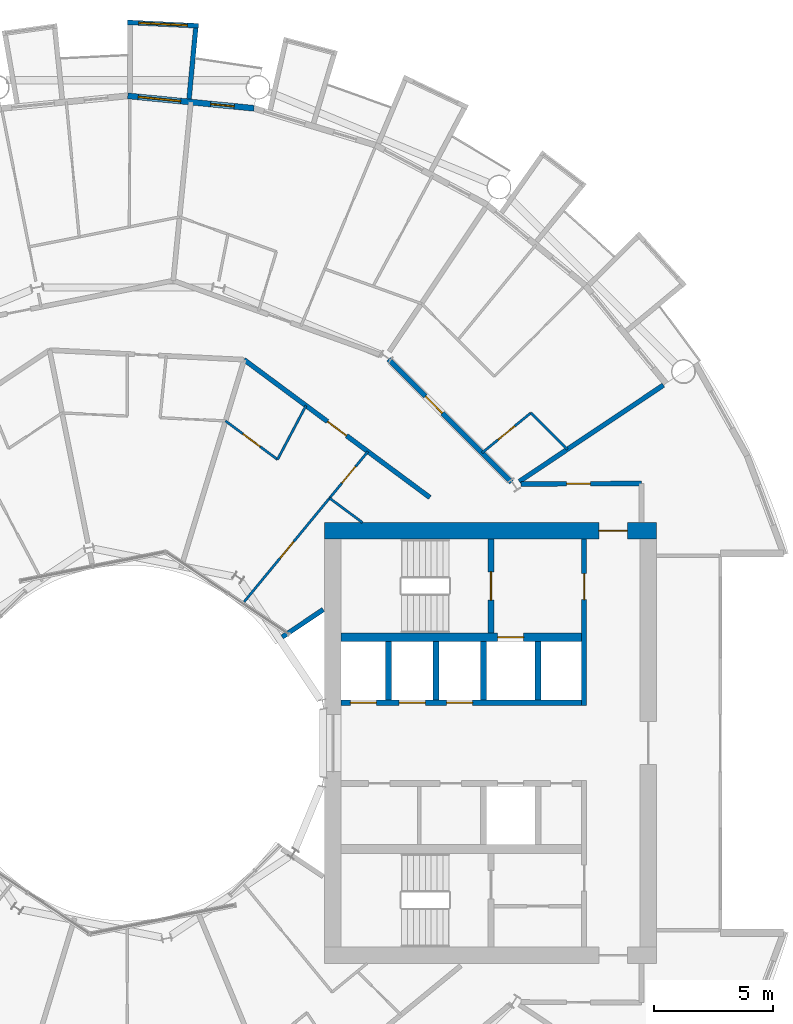
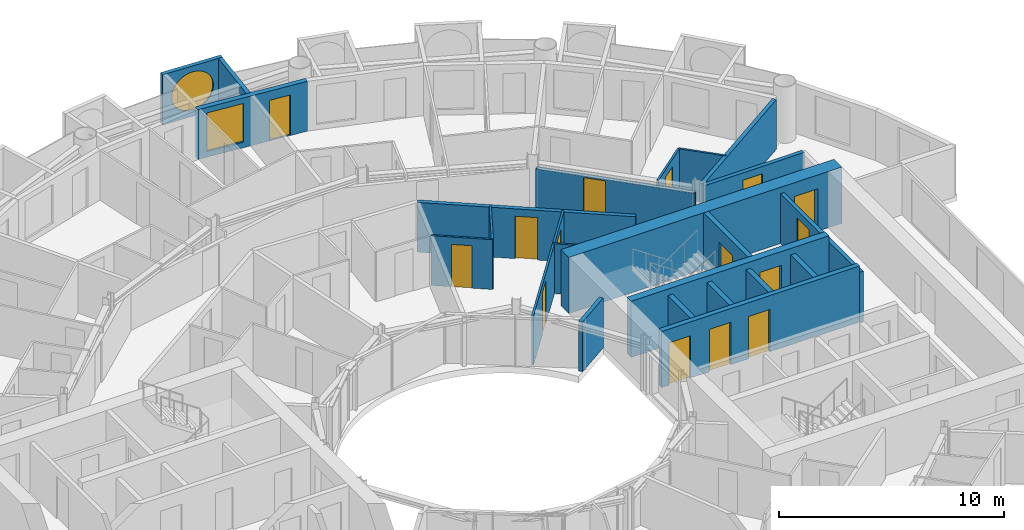
# One storey, part 21 of 26: 23 walls, 15 doors, 2 windows, 17 openings.
"""IFC4 building model written with IfcOpenShell, lengths in metres."""

from ifc_helpers import new_model, si_unit, direction, frame, frame_2d, origin, place, context, subcontext, project, spatial, rectangle, circle, extrude, material, layer, layer_set, type_object, element, fill, save


model = new_model("IFC4")

# Units and contexts
model_context = context("Model", 3, precision=1e-05, world=origin(), true_north=direction((0.0, 1.0)))
body_context = subcontext(model_context, "Body", "Model", "MODEL_VIEW")
ifc_project = project(units=[si_unit("LENGTHUNIT", "METRE"), si_unit("AREAUNIT", "SQUARE_METRE"), si_unit("VOLUMEUNIT", "CUBIC_METRE"), si_unit("PLANEANGLEUNIT", "RADIAN"), si_unit("MASSUNIT", "GRAM", prefix="KILO")], contexts=[model_context])

# Site, building, storey
site_placement = place(None, origin())
site = spatial("IfcSite", under=ifc_project, at=site_placement, CompositionType="ELEMENT")
building_placement = place(site_placement, origin())
building = spatial("IfcBuilding", under=site, at=building_placement, Name="Maasbend Ring Residences", CompositionType="ELEMENT")
storey_placement = place(building_placement, frame((0.0, 0.0, 63.60009765625)))
storey = spatial("IfcBuildingStorey", under=building, at=storey_placement, Name="L17", CompositionType="ELEMENT", Elevation=63.60009765625)

# Wall, openings, doors
ifc_material_1 = material(Name="Concrete C70/85", Category="concrete")
ifc_layer_1 = layer(ifc_material_1, 0.25)
ifc_layer_set_1 = layer_set([ifc_layer_1], Name="Concrete C70/85")
wall_type_1 = type_object("IfcWallType", Name="CORE WALL 250 C70/85", PredefinedType="SHEAR", material=ifc_layer_set_1)
wall_1_placement = place(storey_placement, frame((9.0, 1.699951171875, 0.0), z_axis=(0.0, 0.0, 1.0), x_axis=(1.0, 0.0, 0.0)))
wall_1 = element("IfcWall", 1, at=wall_1_placement, inside=storey, type_object=wall_type_1, Name="L17 core E wall SPN", PredefinedType="SHEAR", context=body_context, shape_type="SweptSolid", body=[
    extrude(rectangle(XDim=10.14990234375, YDim=0.25, at=frame_2d((5.074951171875, 0.0))), origin(), (0.0, 0.0, 1.0), 3.0498046875),
])
opening_1_placement = place(wall_1_placement, frame((0.387451171875, 0.0, 0.0)))
opening_1 = element("IfcOpeningElement", 2, at=opening_1_placement, cuts=wall_1, Name="Opening LD-E1701", PredefinedType="OPENING", context=body_context, shape_type="SweptSolid", body=[
    extrude(rectangle(XDim=1.10009765625, YDim=2.300048828125, at=frame_2d((0.550048828125, 1.14990234375))), frame((0.0, 0.135009765625, 0.0), z_axis=(0.0, -1.0, 0.0), x_axis=(1.0, 0.0, 0.0)), (0.0, 0.0, 1.0), 0.27001953125),
])
opening_2_placement = place(wall_1_placement, frame((2.449951171875, 0.0, 0.0)))
opening_2 = element("IfcOpeningElement", 3, at=opening_2_placement, cuts=wall_1, Name="Opening LD-E1702", PredefinedType="OPENING", context=body_context, shape_type="SweptSolid", body=[
    extrude(rectangle(XDim=1.10009765625, YDim=2.300048828125, at=frame_2d((0.550048828125, 1.14990234375))), frame((0.0, 0.135009765625, 0.0), z_axis=(0.0, -1.0, 0.0), x_axis=(1.0, 0.0, 0.0)), (0.0, 0.0, 1.0), 0.27001953125),
])
opening_3_placement = place(wall_1_placement, frame((4.449951171875, 0.0, 0.0)))
opening_3 = element("IfcOpeningElement", 4, at=opening_3_placement, cuts=wall_1, Name="Opening LD-E1703", PredefinedType="OPENING", context=body_context, shape_type="SweptSolid", body=[
    extrude(rectangle(XDim=1.10009765625, YDim=2.300048828125, at=frame_2d((0.550048828125, 1.14990234375))), frame((0.0, 0.135009765625, 0.0), z_axis=(0.0, -1.0, 0.0), x_axis=(1.0, 0.0, 0.0)), (0.0, 0.0, 1.0), 0.27001953125),
])
ifc_material_2 = material(Name="Stainless steel 316", Category="steel")
door_type_1 = type_object("IfcDoorType", Name="LANDING DOOR 1100 X 2300 FD60", OperationType="DOUBLE_DOOR_SLIDING", PredefinedType="DOOR", material=ifc_material_2)
door_1_placement = place(opening_1_placement, origin())
door_1 = element("IfcDoor", 5, at=door_1_placement, inside=storey, type_object=door_type_1, Name="Landing door LR-E1 L17", OperationType="DOUBLE_DOOR_SLIDING", OverallHeight=2.300048828125, OverallWidth=1.10009765625, PredefinedType="DOOR", context=body_context, shape_type="SweptSolid", body=[
    extrude(rectangle(XDim=1.10009765625, YDim=2.300048828125, at=frame_2d((0.550048828125, 1.14990234375))), frame((0.0, 0.02490234375, 0.0), z_axis=(0.0, -1.0, 0.0), x_axis=(1.0, 0.0, 0.0)), (0.0, 0.0, 1.0), 0.050048828125),
])
fill(opening_1, door_1)
door_2_placement = place(opening_2_placement, origin())
door_2 = element("IfcDoor", 6, at=door_2_placement, inside=storey, type_object=door_type_1, Name="Landing door LR-E2 L17", OperationType="DOUBLE_DOOR_SLIDING", OverallHeight=2.300048828125, OverallWidth=1.10009765625, PredefinedType="DOOR", context=body_context, shape_type="SweptSolid", body=[
    extrude(rectangle(XDim=1.10009765625, YDim=2.300048828125, at=frame_2d((0.550048828125, 1.14990234375))), frame((0.0, 0.02490234375, 0.0), z_axis=(0.0, -1.0, 0.0), x_axis=(1.0, 0.0, 0.0)), (0.0, 0.0, 1.0), 0.050048828125),
])
fill(opening_2, door_2)
door_3_placement = place(opening_3_placement, origin())
door_3 = element("IfcDoor", 7, at=door_3_placement, inside=storey, type_object=door_type_1, Name="Landing door LR-E3 L17", OperationType="DOUBLE_DOOR_SLIDING", OverallHeight=2.300048828125, OverallWidth=1.10009765625, PredefinedType="DOOR", context=body_context, shape_type="SweptSolid", body=[
    extrude(rectangle(XDim=1.10009765625, YDim=2.300048828125, at=frame_2d((0.550048828125, 1.14990234375))), frame((0.0, 0.02490234375, 0.0), z_axis=(0.0, -1.0, 0.0), x_axis=(1.0, 0.0, 0.0)), (0.0, 0.0, 1.0), 0.050048828125),
])
fill(opening_3, door_3)

# Wall, opening, door
wall_2_placement = place(storey_placement, frame((15.324951171875, 4.64990234375, 0.0), z_axis=(0.0, 0.0, 1.0), x_axis=(0.0, 1.0, 0.0)))
wall_2 = element("IfcWall", 8, at=wall_2_placement, inside=storey, type_object=wall_type_1, Name="L17 core E wall STEN", PredefinedType="SHEAR", context=body_context, shape_type="SweptSolid", body=[
    extrude(rectangle(XDim=3.9501953125, YDim=0.25, at=frame_2d((1.97509765625, 0.0))), origin(), (0.0, 0.0, 1.0), 3.0498046875),
])
opening_4_placement = place(wall_2_placement, frame((1.375, 0.0, 0.0)))
opening_4 = element("IfcOpeningElement", 9, at=opening_4_placement, cuts=wall_2, Name="Opening D-E1710", PredefinedType="OPENING", context=body_context, shape_type="SweptSolid", body=[
    extrude(rectangle(XDim=1.199951171875, YDim=2.300048828125, at=frame_2d((0.60009765625, 1.14990234375))), frame((0.0, 0.135009765625, 0.0), z_axis=(0.0, -1.0, 0.0), x_axis=(1.0, 0.0, 0.0)), (0.0, 0.0, 1.0), 0.27001953125),
])
ifc_material_3 = material(Name="Steel, powder coated", Category="steel")
door_type_2 = type_object("IfcDoorType", Name="STAIR DOOR 1200 X 2300 FD60", OperationType="NOTDEFINED", PredefinedType="DOOR", material=ifc_material_3)
door_4_placement = place(opening_4_placement, origin())
door_4 = element("IfcDoor", 10, at=door_4_placement, inside=storey, type_object=door_type_2, Name="Stair door ST-E L17", OperationType="SINGLE_SWING_LEFT", OverallHeight=2.300048828125, OverallWidth=1.199951171875, PredefinedType="DOOR", context=body_context, shape_type="SweptSolid", body=[
    extrude(rectangle(XDim=1.199951171875, YDim=2.300048828125, at=frame_2d((0.60009765625, 1.14990234375))), frame((0.0, 0.02490234375, 0.0), z_axis=(0.0, -1.0, 0.0), x_axis=(1.0, 0.0, 0.0)), (0.0, 0.0, 1.0), 0.050048828125),
])
fill(opening_4, door_4)

ifc_material_4 = material(Name="Concrete C70/85", Category="concrete")
ifc_layer_2 = layer(ifc_material_4, 0.375)
ifc_layer_set_2 = layer_set([ifc_layer_2], Name="Concrete C70/85")
wall_type_2 = type_object("IfcWallType", Name="CORE WALL 375 C70/85", PredefinedType="SHEAR", material=ifc_layer_set_2)
wall_3_placement = place(storey_placement, frame((9.0, 4.46240234375, 0.0), z_axis=(0.0, 0.0, 1.0), x_axis=(1.0, 0.0, 0.0)))
wall_3 = element("IfcWall", 11, at=wall_3_placement, inside=storey, type_object=wall_type_2, Name="L17 core E wall BN", PredefinedType="SHEAR", context=body_context, shape_type="SweptSolid", body=[
    extrude(rectangle(XDim=10.14990234375, YDim=0.375, at=frame_2d((5.074951171875, 0.0))), origin(), (0.0, 0.0, 1.0), 3.0498046875),
])
opening_5_placement = place(wall_3_placement, frame((6.60009765625, 0.0, 0.0)))
opening_5 = element("IfcOpeningElement", 12, at=opening_5_placement, cuts=wall_3, Name="Opening LD-E1704", PredefinedType="OPENING", context=body_context, shape_type="SweptSolid", body=[
    extrude(rectangle(XDim=1.10009765625, YDim=2.300048828125, at=frame_2d((0.550048828125, 1.14990234375))), frame((0.0, 0.197509765625, 0.0), z_axis=(0.0, -1.0, 0.0), x_axis=(1.0, 0.0, 0.0)), (0.0, 0.0, 1.0), 0.39501953125),
])
door_5_placement = place(opening_5_placement, origin())
door_5 = element("IfcDoor", 13, at=door_5_placement, inside=storey, type_object=door_type_1, Name="Landing door FF-E L17", OperationType="DOUBLE_DOOR_SLIDING", OverallHeight=2.300048828125, OverallWidth=1.10009765625, PredefinedType="DOOR", context=body_context, shape_type="SweptSolid", body=[
    extrude(rectangle(XDim=1.10009765625, YDim=2.300048828125, at=frame_2d((0.550048828125, 1.14990234375))), frame((0.0, 0.02490234375, 0.0), z_axis=(0.0, -1.0, 0.0), x_axis=(1.0, 0.0, 0.0)), (0.0, 0.0, 1.0), 0.050048828125),
])
fill(opening_5, door_5)

ifc_material_5 = material(Name="Concrete C70/85", Category="concrete")
ifc_layer_3 = layer(ifc_material_5, 0.699951171875)
ifc_layer_set_3 = layer_set([ifc_layer_3], Name="Concrete C70/85")
wall_type_3 = type_object("IfcWallType", Name="CORE WALL 700 C70/85", PredefinedType="SHEAR", material=ifc_layer_set_3)
wall_4_placement = place(storey_placement, frame((22.300048828125, 8.949951171875, 0.0), z_axis=(0.0, 0.0, 1.0), x_axis=(-1.0, 0.0, 0.0)))
wall_4 = element("IfcWall", 14, at=wall_4_placement, inside=storey, type_object=wall_type_3, Name="L17 core E wall PN", PredefinedType="SHEAR", context=body_context, shape_type="SweptSolid", body=[
    extrude(rectangle(XDim=14.0, YDim=0.699951171875, at=frame_2d((7.0, 0.0))), origin(), (0.0, 0.0, 1.0), 3.0498046875),
])
opening_6_placement = place(wall_4_placement, frame((1.22509765625, 0.0, 0.0)))
opening_6 = element("IfcOpeningElement", 15, at=opening_6_placement, cuts=wall_4, Name="Opening D-E1714", PredefinedType="OPENING", context=body_context, shape_type="SweptSolid", body=[
    extrude(rectangle(XDim=1.199951171875, YDim=2.300048828125, at=frame_2d((0.60009765625, 1.14990234375))), frame((0.0, 0.35986328125, 0.0), z_axis=(0.0, -1.0, 0.0), x_axis=(1.0, 0.0, 0.0)), (0.0, 0.0, 1.0), 0.719970703125),
])
ifc_material_6 = material(Name="Steel, powder coated", Category="steel")
door_type_3 = type_object("IfcDoorType", Name="CORRIDOR DOOR 1200 X 2300 FD30S", OperationType="NOTDEFINED", PredefinedType="DOOR", material=ifc_material_6)
door_6_placement = place(opening_6_placement, origin())
door_6 = element("IfcDoor", 16, at=door_6_placement, inside=storey, type_object=door_type_3, Name="Corridor door L17", OperationType="SINGLE_SWING_RIGHT", OverallHeight=2.300048828125, OverallWidth=1.199951171875, PredefinedType="DOOR", context=body_context, shape_type="SweptSolid", body=[
    extrude(rectangle(XDim=1.199951171875, YDim=2.300048828125, at=frame_2d((0.60009765625, 1.14990234375))), frame((0.0, 0.02490234375, 0.0), z_axis=(0.0, -1.0, 0.0), x_axis=(1.0, 0.0, 0.0)), (0.0, 0.0, 1.0), 0.050048828125),
])
fill(opening_6, door_6)

ifc_material_7 = material(Name="Concrete C30/37", Category="concrete")
ifc_layer_4 = layer(ifc_material_7, 0.199951171875)
ifc_layer_set_4 = layer_set([ifc_layer_4], Name="Concrete C30/37")
wall_type_4 = type_object("IfcWallType", Name="CORRIDOR WALL 200 CONCRETE", PredefinedType="PARTITIONING", material=ifc_layer_set_4)
wall_5_placement = place(storey_placement, frame((16.587890625, 10.925048828125, 0.0), z_axis=(0.0, 0.0, 1.0), x_axis=(0.999988019025, 0.004895079807, 0.0)))
wall_5 = element("IfcWall", 17, at=wall_5_placement, inside=storey, type_object=wall_type_4, Name="U-L17-w094", PredefinedType="PARTITIONING", context=body_context, shape_type="SweptSolid", body=[
    extrude(rectangle(XDim=5.087158203125, YDim=0.199951171875, at=frame_2d((2.54345703125, 0.0))), origin(), (0.0, 0.0, 1.0), 2.699951171875),
])
opening_7_placement = place(wall_5_placement, frame((1.925048828125, 0.0, 0.0)))
opening_7 = element("IfcOpeningElement", 18, at=opening_7_placement, cuts=wall_5, Name="Opening D-1773", PredefinedType="OPENING", context=body_context, shape_type="SweptSolid", body=[
    extrude(rectangle(XDim=1.0, YDim=2.300048828125, at=frame_2d((0.5, 1.14990234375))), frame((0.0, 0.10986328125, 0.0), z_axis=(0.0, -1.0, 0.0), x_axis=(1.0, 0.0, 0.0)), (0.0, 0.0, 1.0), 0.219970703125),
])
ifc_material_8 = material(Name="Timber, painted", Category="wood")
door_type_4 = type_object("IfcDoorType", Name="ROOM DOOR 1000 X 2300", OperationType="NOTDEFINED", PredefinedType="DOOR", material=ifc_material_8)
door_7_placement = place(opening_7_placement, origin())
door_7 = element("IfcDoor", 19, at=door_7_placement, inside=storey, type_object=door_type_4, Name="D-1773", OperationType="SINGLE_SWING_LEFT", OverallHeight=2.300048828125, OverallWidth=1.0, PredefinedType="DOOR", context=body_context, shape_type="SweptSolid", body=[
    extrude(rectangle(XDim=1.0, YDim=2.300048828125, at=frame_2d((0.5, 1.14990234375))), frame((0.0, 0.02490234375, 0.0), z_axis=(0.0, -1.0, 0.0), x_axis=(1.0, 0.0, 0.0)), (0.0, 0.0, 1.0), 0.050048828125),
])
fill(opening_7, door_7)

wall_6_placement = place(storey_placement, frame((4.906005859375, 16.172119140625, 0.0), z_axis=(0.0, 0.0, 1.0), x_axis=(0.803191461888, -0.595720971219, 0.0)))
wall_6 = element("IfcWall", 20, at=wall_6_placement, inside=storey, type_object=wall_type_4, Name="U-L17-w102", PredefinedType="PARTITIONING", context=body_context, shape_type="SweptSolid", body=[
    extrude(rectangle(XDim=9.760009765625, YDim=0.199951171875, at=frame_2d((4.8798828125, 0.0))), origin(), (0.0, 0.0, 1.0), 2.699951171875),
])
opening_8_placement = place(wall_6_placement, frame((4.3798828125, 0.0, 0.0)))
opening_8 = element("IfcOpeningElement", 21, at=opening_8_placement, cuts=wall_6, Name="Opening D-1724", PredefinedType="OPENING", context=body_context, shape_type="SweptSolid", body=[
    extrude(rectangle(XDim=1.0, YDim=2.300048828125, at=frame_2d((0.5, 1.14990234375))), frame((0.0, 0.10986328125, 0.0), z_axis=(0.0, -1.0, 0.0), x_axis=(1.0, 0.0, 0.0)), (0.0, 0.0, 1.0), 0.219970703125),
])
ifc_material_9 = material(Name="Timber, fire-rated, painted", Category="wood")
door_type_5 = type_object("IfcDoorType", Name="FLAT ENTRANCE DOOR 1000 X 2300 FIRE-RATED", OperationType="NOTDEFINED", PredefinedType="DOOR", material=ifc_material_9)
door_8_placement = place(opening_8_placement, origin())
door_8 = element("IfcDoor", 22, at=door_8_placement, inside=storey, type_object=door_type_5, Name="D-1724", OperationType="SINGLE_SWING_LEFT", OverallHeight=2.300048828125, OverallWidth=1.0, PredefinedType="DOOR", context=body_context, shape_type="SweptSolid", body=[
    extrude(rectangle(XDim=1.0, YDim=2.300048828125, at=frame_2d((0.5, 1.14990234375))), frame((0.0, 0.02490234375, 0.0), z_axis=(0.0, -1.0, 0.0), x_axis=(1.0, 0.0, 0.0)), (0.0, 0.0, 1.0), 0.050048828125),
])
fill(opening_8, door_8)

wall_7_placement = place(storey_placement, frame((11.0, 16.18603515625, 0.0), z_axis=(0.0, 0.0, 1.0), x_axis=(0.707106781187, -0.707106781187, 0.0)))
wall_7 = element("IfcWall", 23, at=wall_7_placement, inside=storey, type_object=wall_type_4, Name="U-L17-w107", PredefinedType="PARTITIONING", context=body_context, shape_type="SweptSolid", body=[
    extrude(rectangle(XDim=7.334228515625, YDim=0.199951171875, at=frame_2d((3.6669921875, 0.0))), origin(), (0.0, 0.0, 1.0), 2.3798828125),
])
opening_9_placement = place(wall_7_placement, frame((2.2109375, 0.0, 0.0)))
opening_9 = element("IfcOpeningElement", 24, at=opening_9_placement, cuts=wall_7, Name="Opening D-1701", PredefinedType="OPENING", context=body_context, shape_type="SweptSolid", body=[
    extrude(rectangle(XDim=1.0, YDim=2.300048828125, at=frame_2d((0.5, 1.14990234375))), frame((0.0, 0.10986328125, 0.0), z_axis=(0.0, -1.0, 0.0), x_axis=(1.0, 0.0, 0.0)), (0.0, 0.0, 1.0), 0.219970703125),
])
door_9_placement = place(opening_9_placement, origin())
door_9 = element("IfcDoor", 25, at=door_9_placement, inside=storey, type_object=door_type_5, Name="D-1701", OperationType="SINGLE_SWING_LEFT", OverallHeight=2.300048828125, OverallWidth=1.0, PredefinedType="DOOR", context=body_context, shape_type="SweptSolid", body=[
    extrude(rectangle(XDim=1.0, YDim=2.300048828125, at=frame_2d((0.5, 1.14990234375))), frame((0.0, 0.02490234375, 0.0), z_axis=(0.0, -1.0, 0.0), x_axis=(1.0, 0.0, 0.0)), (0.0, 0.0, 1.0), 0.050048828125),
])
fill(opening_9, door_9)

# Wall, opening, window
ifc_material_10 = material(Name="Pale anodised aluminium panel", Category="aluminium")
ifc_layer_5 = layer(ifc_material_10, 0.199951171875)
ifc_layer_set_5 = layer_set([ifc_layer_5], Name="EW-BOX")
wall_type_5 = type_object("IfcWallType", Name="EW-BOX", PredefinedType="SOLIDWALL", material=ifc_layer_set_5)
wall_8_placement = place(storey_placement, frame((2.985107421875, 30.2529296875, -0.030029296875), z_axis=(0.0, 0.0, 1.0), x_axis=(-0.998794083011, 0.049095618353, 0.0)))
wall_8 = element("IfcWall", 26, at=wall_8_placement, inside=storey, type_object=wall_type_5, Name="Box front N10", PredefinedType="SOLIDWALL", context=body_context, shape_type="SweptSolid", body=[
    extrude(rectangle(XDim=2.99365234375, YDim=0.199951171875, at=frame_2d((1.496826171875, 0.0))), origin(), (0.0, 0.0, 1.0), 2.72998046875),
])
opening_10_placement = place(wall_8_placement, frame((0.45654296875, 0.0, 0.330078125)))
opening_10 = element("IfcOpeningElement", 27, at=opening_10_placement, cuts=wall_8, Name="Opening W-RD", PredefinedType="OPENING", context=body_context, shape_type="SweptSolid", body=[
    extrude(circle(Radius=1.0400390625, at=frame_2d((1.0400390625, 1.0400390625))), frame((0.0, 0.10986328125, 0.0), z_axis=(0.0, -1.0, 0.0), x_axis=(1.0, 0.0, 0.0)), (0.0, 0.0, 1.0), 0.219970703125),
])
ifc_material_11 = material(Name="Aluminium and clear glass", Category="aluminium")
window_type_1 = type_object("IfcWindowType", Name="W-RD", PartitioningType="SINGLE_PANEL", PredefinedType="WINDOW", material=ifc_material_11)
window_1_placement = place(opening_10_placement, origin())
window_1 = element("IfcWindow", 28, at=window_1_placement, inside=storey, type_object=window_type_1, Name="Round window N10", OverallHeight=2.080078125, OverallWidth=2.080078125, PartitioningType="SINGLE_PANEL", PredefinedType="WINDOW", context=body_context, shape_type="SweptSolid", body=[
    extrude(circle(Radius=1.0400390625, at=frame_2d((1.0400390625, 1.0400390625))), frame((0.0, 0.030029296875, 0.0), z_axis=(0.0, -1.0, 0.0), x_axis=(1.0, 0.0, 0.0)), (0.0, 0.0, 1.0), 0.06005859375),
])
fill(opening_10, window_1)

# Wall
wall_9_placement = place(storey_placement, frame((2.5859375, 27.1708984375, -0.030029296875), z_axis=(0.0, 0.0, 1.0), x_axis=(0.094548432284, 0.995520262954, 0.0)))
element("IfcWall", 29, at=wall_9_placement, inside=storey, type_object=wall_type_5, Name="Box side wall N10 left", PredefinedType="SOLIDWALL", context=body_context, shape_type="SweptSolid", body=[
    extrude(rectangle(XDim=3.005615234375, YDim=0.199951171875, at=frame_2d((1.5029296875, 0.0))), origin(), (0.0, 0.0, 1.0), 2.72998046875),
])

# Wall, openings, door, window
ifc_material_12 = material(Name="Aluminium clad insulated panel", Category="aluminium")
ifc_layer_6 = layer(ifc_material_12, 0.25)
ifc_layer_set_6 = layer_set([ifc_layer_6], Name="EW-GL")
wall_type_6 = type_object("IfcWallType", Name="EW-GL", PredefinedType="SOLIDWALL", material=ifc_layer_set_6)
wall_10_placement = place(storey_placement, frame((5.325927734375, 26.77490234375, 0.0), z_axis=(0.0, 0.0, 1.0), x_axis=(-0.995173996315, 0.098126026407, 0.0)))
wall_10 = element("IfcWall", 30, at=wall_10_placement, inside=storey, type_object=wall_type_6, Name="External wall N05", PredefinedType="SOLIDWALL", context=body_context, shape_type="SweptSolid", body=[
    extrude(rectangle(XDim=5.351806640625, YDim=0.25, at=frame_2d((2.67578125, 0.0))), origin(), (0.0, 0.0, 1.0), 2.699951171875),
])
opening_11_placement = place(wall_10_placement, frame((0.841064453125, 0.0, 0.0)))
opening_11 = element("IfcOpeningElement", 31, at=opening_11_placement, cuts=wall_10, Name="Opening D-LG", PredefinedType="OPENING", context=body_context, shape_type="SweptSolid", body=[
    extrude(rectangle(XDim=1.0, YDim=2.199951171875, at=frame_2d((0.5, 1.10009765625))), frame((0.0, 0.135009765625, 0.0), z_axis=(0.0, -1.0, 0.0), x_axis=(1.0, 0.0, 0.0)), (0.0, 0.0, 1.0), 0.27001953125),
])
opening_12_placement = place(wall_10_placement, frame((3.110595703125, 0.0, 0.300048828125)))
opening_12 = element("IfcOpeningElement", 32, at=opening_12_placement, cuts=wall_10, Name="Opening W-BX", PredefinedType="OPENING", context=body_context, shape_type="SweptSolid", body=[
    extrude(rectangle(XDim=1.800048828125, YDim=2.10009765625, at=frame_2d((0.89990234375, 1.050048828125))), frame((0.0, 0.135009765625, 0.0), z_axis=(0.0, -1.0, 0.0), x_axis=(1.0, 0.0, 0.0)), (0.0, 0.0, 1.0), 0.27001953125),
])
ifc_material_13 = material(Name="Aluminium and clear glass", Category="aluminium")
door_type_6 = type_object("IfcDoorType", Name="D-LG", OperationType="SINGLE_SWING_LEFT", PredefinedType="DOOR", material=ifc_material_13)
door_10_placement = place(opening_11_placement, origin())
door_10 = element("IfcDoor", 33, at=door_10_placement, inside=storey, type_object=door_type_6, Name="Loggia door N09", OperationType="SINGLE_SWING_LEFT", OverallHeight=2.199951171875, OverallWidth=1.0, PredefinedType="DOOR", context=body_context, shape_type="SweptSolid", body=[
    extrude(rectangle(XDim=1.0, YDim=2.199951171875, at=frame_2d((0.5, 1.10009765625))), frame((0.0, 0.02490234375, 0.0), z_axis=(0.0, -1.0, 0.0), x_axis=(1.0, 0.0, 0.0)), (0.0, 0.0, 1.0), 0.050048828125),
])
fill(opening_11, door_10)
ifc_material_14 = material(Name="Aluminium and clear glass", Category="aluminium")
window_type_2 = type_object("IfcWindowType", Name="W-BX", PartitioningType="DOUBLE_PANEL_VERTICAL", PredefinedType="WINDOW", material=ifc_material_14)
window_2_placement = place(opening_12_placement, origin())
window_2 = element("IfcWindow", 34, at=window_2_placement, inside=storey, type_object=window_type_2, Name="Window N10 room to box", OverallHeight=2.10009765625, OverallWidth=1.800048828125, PartitioningType="SINGLE_PANEL", PredefinedType="WINDOW", context=body_context, shape_type="SweptSolid", body=[
    extrude(rectangle(XDim=1.800048828125, YDim=2.10009765625, at=frame_2d((0.89990234375, 1.050048828125))), frame((0.0, 0.030029296875, 0.0), z_axis=(0.0, -1.0, 0.0), x_axis=(1.0, 0.0, 0.0)), (0.0, 0.0, 1.0), 0.06005859375),
])
fill(opening_12, window_2)

# Wall, openings, doors
ifc_material_15 = material(Name="Gypsum board on steel studs", Category="steel")
ifc_layer_7 = layer(ifc_material_15, 0.10009765625)
ifc_layer_set_7 = layer_set([ifc_layer_7], Name="PARTITION 100 GYPSUM")
wall_type_7 = type_object("IfcWallType", Name="PARTITION 100 GYPSUM", PredefinedType="PARTITIONING", material=ifc_layer_set_7)
wall_11_placement = place(storey_placement, frame((4.908935546875, 5.9580078125, 0.0), z_axis=(0.0, 0.0, 1.0), x_axis=(0.635976043025, 0.771708800454, 0.0)))
wall_11 = element("IfcWall", 35, at=wall_11_placement, inside=storey, type_object=wall_type_7, Name="U-L17-w070", PredefinedType="PARTITIONING", context=body_context, shape_type="SweptSolid", body=[
    extrude(rectangle(XDim=8.212890625, YDim=0.10009765625, at=frame_2d((4.1064453125, 0.0))), origin(), (0.0, 0.0, 1.0), 2.699951171875),
])
opening_13_placement = place(wall_11_placement, frame((6.489990234375, 0.0, 0.0)))
opening_13 = element("IfcOpeningElement", 36, at=opening_13_placement, cuts=wall_11, Name="Opening D-1726", PredefinedType="OPENING", context=body_context, shape_type="SweptSolid", body=[
    extrude(rectangle(XDim=0.89990234375, YDim=2.300048828125, at=frame_2d((0.449951171875, 1.14990234375))), frame((0.0, 0.06005859375, 0.0), z_axis=(0.0, -1.0, 0.0), x_axis=(1.0, 0.0, 0.0)), (0.0, 0.0, 1.0), 0.1201171875),
])
opening_14_placement = place(wall_11_placement, frame((2.384033203125, 0.0, 0.0)))
opening_14 = element("IfcOpeningElement", 37, at=opening_14_placement, cuts=wall_11, Name="Opening D-1727", PredefinedType="OPENING", context=body_context, shape_type="SweptSolid", body=[
    extrude(rectangle(XDim=0.89990234375, YDim=2.300048828125, at=frame_2d((0.449951171875, 1.14990234375))), frame((0.0, 0.06005859375, 0.0), z_axis=(0.0, -1.0, 0.0), x_axis=(1.0, 0.0, 0.0)), (0.0, 0.0, 1.0), 0.1201171875),
])
ifc_material_16 = material(Name="Timber, painted", Category="wood")
door_type_7 = type_object("IfcDoorType", Name="INTERNAL DOOR 900 X 2300", OperationType="NOTDEFINED", PredefinedType="DOOR", material=ifc_material_16)
door_11_placement = place(opening_13_placement, origin())
door_11 = element("IfcDoor", 38, at=door_11_placement, inside=storey, type_object=door_type_7, Name="D-1726", OperationType="SINGLE_SWING_RIGHT", OverallHeight=2.300048828125, OverallWidth=0.89990234375, PredefinedType="DOOR", context=body_context, shape_type="SweptSolid", body=[
    extrude(rectangle(XDim=0.89990234375, YDim=2.300048828125, at=frame_2d((0.449951171875, 1.14990234375))), frame((0.0, 0.02490234375, 0.0), z_axis=(0.0, -1.0, 0.0), x_axis=(1.0, 0.0, 0.0)), (0.0, 0.0, 1.0), 0.050048828125),
])
fill(opening_13, door_11)
door_12_placement = place(opening_14_placement, origin())
door_12 = element("IfcDoor", 39, at=door_12_placement, inside=storey, type_object=door_type_7, Name="D-1727", OperationType="SINGLE_SWING_LEFT", OverallHeight=2.300048828125, OverallWidth=0.89990234375, PredefinedType="DOOR", context=body_context, shape_type="SweptSolid", body=[
    extrude(rectangle(XDim=0.89990234375, YDim=2.300048828125, at=frame_2d((0.449951171875, 1.14990234375))), frame((0.0, 0.02490234375, 0.0), z_axis=(0.0, -1.0, 0.0), x_axis=(1.0, 0.0, 0.0)), (0.0, 0.0, 1.0), 0.050048828125),
])
fill(opening_14, door_12)

# Wall
wall_12_placement = place(storey_placement, frame((6.318115234375, 11.9599609375, 0.0), z_axis=(0.0, 0.0, 1.0), x_axis=(0.467001992543, 0.884256263173, 0.0)))
element("IfcWall", 40, at=wall_12_placement, inside=storey, type_object=wall_type_7, Name="U-L17-w072", PredefinedType="PARTITIONING", context=body_context, shape_type="SweptSolid", body=[
    extrude(rectangle(XDim=2.571533203125, YDim=0.10009765625, at=frame_2d((1.28564453125, 0.0))), origin(), (0.0, 0.0, 1.0), 2.699951171875),
])

# Wall, opening, door
wall_13_placement = place(storey_placement, frame((14.945068359375, 12.240966796875, 0.0), z_axis=(0.0, 0.0, 1.0), x_axis=(0.77367517848, 0.633582447834, 0.0)))
wall_13 = element("IfcWall", 41, at=wall_13_placement, inside=storey, type_object=wall_type_7, Name="U-L17-w086", PredefinedType="PARTITIONING", context=body_context, shape_type="SweptSolid", body=[
    extrude(rectangle(XDim=2.6611328125, YDim=0.10009765625, at=frame_2d((1.33056640625, 0.0))), origin(), (0.0, 0.0, 1.0), 2.699951171875),
])
opening_15_placement = place(wall_13_placement, frame((0.881103515625, 0.0, 0.0)))
opening_15 = element("IfcOpeningElement", 42, at=opening_15_placement, cuts=wall_13, Name="Opening D-1702", PredefinedType="OPENING", context=body_context, shape_type="SweptSolid", body=[
    extrude(rectangle(XDim=0.89990234375, YDim=2.300048828125, at=frame_2d((0.449951171875, 1.14990234375))), frame((0.0, 0.06005859375, 0.0), z_axis=(0.0, -1.0, 0.0), x_axis=(1.0, 0.0, 0.0)), (0.0, 0.0, 1.0), 0.1201171875),
])
door_13_placement = place(opening_15_placement, origin())
door_13 = element("IfcDoor", 43, at=door_13_placement, inside=storey, type_object=door_type_7, Name="D-1702", OperationType="SINGLE_SWING_LEFT", OverallHeight=2.300048828125, OverallWidth=0.89990234375, PredefinedType="DOOR", context=body_context, shape_type="SweptSolid", body=[
    extrude(rectangle(XDim=0.89990234375, YDim=2.300048828125, at=frame_2d((0.449951171875, 1.14990234375))), frame((0.0, 0.02490234375, 0.0), z_axis=(0.0, -1.0, 0.0), x_axis=(1.0, 0.0, 0.0)), (0.0, 0.0, 1.0), 0.050048828125),
])
fill(opening_15, door_13)

wall_14_placement = place(storey_placement, frame((4.1220703125, 13.589111328125, 0.0), z_axis=(0.0, 0.0, 1.0), x_axis=(0.803128348509, -0.595806055542, 0.0)))
wall_14 = element("IfcWall", 44, at=wall_14_placement, inside=storey, type_object=wall_type_7, Name="U-L17-w097", PredefinedType="PARTITIONING", context=body_context, shape_type="SweptSolid", body=[
    extrude(rectangle(XDim=2.734375, YDim=0.10009765625, at=frame_2d((1.3671875, 0.0))), origin(), (0.0, 0.0, 1.0), 2.699951171875),
])
opening_16_placement = place(wall_14_placement, frame((0.9169921875, 0.0, 0.0)))
opening_16 = element("IfcOpeningElement", 45, at=opening_16_placement, cuts=wall_14, Name="Opening D-1725", PredefinedType="OPENING", context=body_context, shape_type="SweptSolid", body=[
    extrude(rectangle(XDim=0.89990234375, YDim=2.300048828125, at=frame_2d((0.449951171875, 1.14990234375))), frame((0.0, 0.06005859375, 0.0), z_axis=(0.0, -1.0, 0.0), x_axis=(1.0, 0.0, 0.0)), (0.0, 0.0, 1.0), 0.1201171875),
])
door_14_placement = place(opening_16_placement, origin())
door_14 = element("IfcDoor", 46, at=door_14_placement, inside=storey, type_object=door_type_7, Name="D-1725", OperationType="SINGLE_SWING_LEFT", OverallHeight=2.300048828125, OverallWidth=0.89990234375, PredefinedType="DOOR", context=body_context, shape_type="SweptSolid", body=[
    extrude(rectangle(XDim=0.89990234375, YDim=2.300048828125, at=frame_2d((0.449951171875, 1.14990234375))), frame((0.0, 0.02490234375, 0.0), z_axis=(0.0, -1.0, 0.0), x_axis=(1.0, 0.0, 0.0)), (0.0, 0.0, 1.0), 0.050048828125),
])
fill(opening_16, door_14)

# Walls
wall_15_placement = place(storey_placement, frame((8.511962890625, 10.33203125, 0.0), z_axis=(0.0, 0.0, 1.0), x_axis=(0.803135014325, -0.595797070121, 0.0)))
element("IfcWall", 47, at=wall_15_placement, inside=storey, type_object=wall_type_7, Name="U-L17-w098", PredefinedType="PARTITIONING", context=body_context, shape_type="SweptSolid", body=[
    extrude(rectangle(XDim=1.732177734375, YDim=0.10009765625, at=frame_2d((0.8662109375, 0.0))), origin(), (0.0, 0.0, 1.0), 2.699951171875),
])
wall_16_placement = place(storey_placement, frame((17.006103515625, 13.924072265625, 0.0), z_axis=(0.0, 0.0, 1.0), x_axis=(0.706826194425, -0.707387256653, 0.0)))
element("IfcWall", 48, at=wall_16_placement, inside=storey, type_object=wall_type_7, Name="U-L17-w117", PredefinedType="PARTITIONING", context=body_context, shape_type="SweptSolid", body=[
    extrude(rectangle(XDim=2.17578125, YDim=0.10009765625, at=frame_2d((1.087890625, 0.0))), origin(), (0.0, 0.0, 1.0), 2.699951171875),
])
ifc_material_17 = material(Name="Concrete C30/37", Category="concrete")
ifc_layer_8 = layer(ifc_material_17, 0.199951171875)
ifc_layer_set_8 = layer_set([ifc_layer_8], Name="Concrete C30/37")
wall_type_8 = type_object("IfcWallType", Name="PARTY WALL 200 CONCRETE", PredefinedType="PARTITIONING", material=ifc_layer_set_8)
wall_17_placement = place(storey_placement, frame((16.514892578125, 11.033935546875, 0.0), z_axis=(0.0, 0.0, 1.0), x_axis=(0.831382022135, 0.555701298605, 0.0)))
element("IfcWall", 49, at=wall_17_placement, inside=storey, type_object=wall_type_8, Name="U-L17-w089", PredefinedType="PARTITIONING", context=body_context, shape_type="SweptSolid", body=[
    extrude(rectangle(XDim=7.313232421875, YDim=0.199951171875, at=frame_2d((3.65673828125, 0.0))), origin(), (0.0, 0.0, 1.0), 2.699951171875),
])
wall_18_placement = place(storey_placement, frame((6.512939453125, 4.471923828125, 0.0), z_axis=(0.0, 0.0, 1.0), x_axis=(0.831382204863, 0.555701025225, 0.0)))
element("IfcWall", 50, at=wall_18_placement, inside=storey, type_object=wall_type_8, Name="U-L17-w092", PredefinedType="PARTITIONING", context=body_context, shape_type="SweptSolid", body=[
    extrude(rectangle(XDim=2.08203125, YDim=0.199951171875, at=frame_2d((1.041015625, 0.0))), origin(), (0.0, 0.0, 1.0), 2.699951171875),
])

# Wall, opening, door
ifc_material_18 = material(Name="Concrete C30/37", Category="concrete")
ifc_layer_9 = layer(ifc_material_18, 0.199951171875)
ifc_layer_set_9 = layer_set([ifc_layer_9], Name="Concrete C30/37")
wall_type_9 = type_object("IfcWallType", Name="SHAFT WALL 200 EI 120", PredefinedType="SOLIDWALL", material=ifc_layer_set_9)
wall_19_placement = place(storey_placement, frame((19.25, 1.574951171875, 0.0), z_axis=(0.0, 0.0, 1.0), x_axis=(0.0, 1.0, 0.0)))
wall_19 = element("IfcWall", 51, at=wall_19_placement, inside=storey, type_object=wall_type_9, Name="L17 core E wall ENDN", PredefinedType="SOLIDWALL", context=body_context, shape_type="SweptSolid", body=[
    extrude(rectangle(XDim=7.025146484375, YDim=0.199951171875, at=frame_2d((3.5126953125, 0.0))), origin(), (0.0, 0.0, 1.0), 2.699951171875),
])
opening_17_placement = place(wall_19_placement, frame((4.47509765625, 0.0, 0.0)))
opening_17 = element("IfcOpeningElement", 52, at=opening_17_placement, cuts=wall_19, Name="Opening D-E1712", PredefinedType="OPENING", context=body_context, shape_type="SweptSolid", body=[
    extrude(rectangle(XDim=1.10009765625, YDim=2.300048828125, at=frame_2d((0.550048828125, 1.14990234375))), frame((0.0, 0.10986328125, 0.0), z_axis=(0.0, -1.0, 0.0), x_axis=(1.0, 0.0, 0.0)), (0.0, 0.0, 1.0), 0.219970703125),
])
ifc_material_19 = material(Name="Steel, powder coated", Category="steel")
door_type_8 = type_object("IfcDoorType", Name="LOBBY DOOR 1100 X 2300 FD60", OperationType="NOTDEFINED", PredefinedType="DOOR", material=ifc_material_19)
door_15_placement = place(opening_17_placement, origin())
door_15 = element("IfcDoor", 53, at=door_15_placement, inside=storey, type_object=door_type_8, Name="Lobby door L17", OperationType="SINGLE_SWING_LEFT", OverallHeight=2.300048828125, OverallWidth=1.10009765625, PredefinedType="DOOR", context=body_context, shape_type="SweptSolid", body=[
    extrude(rectangle(XDim=1.10009765625, YDim=2.300048828125, at=frame_2d((0.550048828125, 1.14990234375))), frame((0.0, 0.02490234375, 0.0), z_axis=(0.0, -1.0, 0.0), x_axis=(1.0, 0.0, 0.0)), (0.0, 0.0, 1.0), 0.050048828125),
])
fill(opening_17, door_15)

# Walls
ifc_material_20 = material(Name="Concrete C30/37", Category="concrete")
ifc_layer_10 = layer(ifc_material_20, 0.25)
ifc_layer_set_10 = layer_set([ifc_layer_10], Name="Concrete C30/37")
wall_type_10 = type_object("IfcWallType", Name="SHAFT WALL 250 EI 120", PredefinedType="SOLIDWALL", material=ifc_layer_set_10)
for number, where, z_axis, x_axis, name in (
    (54, (15.0, 1.824951171875, 0.0), (0.0, 0.0, 1.0), (0.0, 1.0, 0.0), "L17 core E wall D150N"),
    (55, (17.300048828125, 1.824951171875, 0.0), (0.0, 0.0, 1.0), (0.0, 1.0, 0.0), "L17 core E wall D173N"),
    (56, (11.0, 1.824951171875, 0.0), (0.0, 0.0, 1.0), (0.0, 1.0, 0.0), "L17 core E wall D110N"),
    (57, (13.0, 1.824951171875, 0.0), (0.0, 0.0, 1.0), (0.0, 1.0, 0.0), "L17 core E wall D130N"),
):
    element("IfcWall", number, at=place(storey_placement, frame(where, z_axis=z_axis, x_axis=x_axis)), inside=storey, type_object=wall_type_10, Name=name, PredefinedType="SOLIDWALL", context=body_context, shape_type="SweptSolid", body=[
        extrude(rectangle(XDim=2.449951171875, YDim=0.25, at=frame_2d((1.22509765625, 0.0))), origin(), (0.0, 0.0, 1.0), 2.699951171875),
    ])

save(model, "model.ifc")
